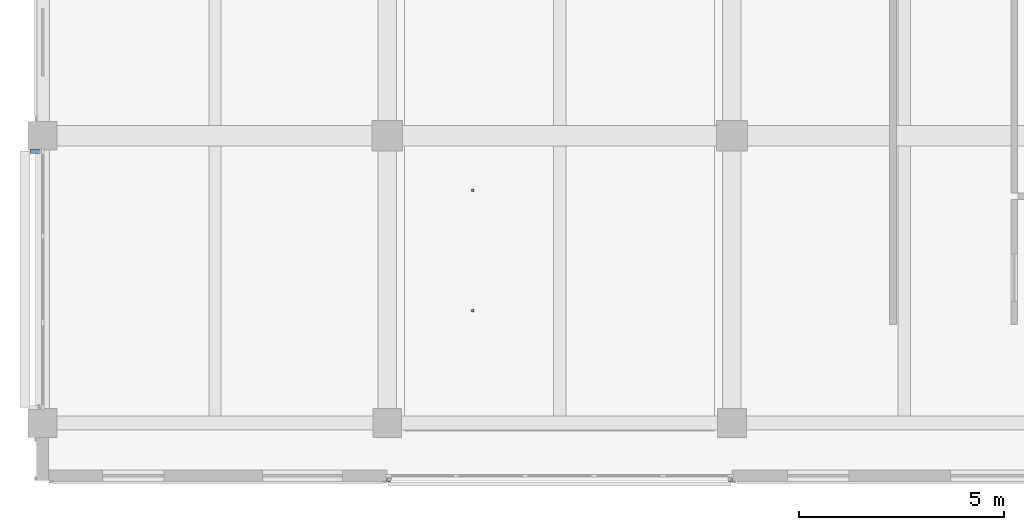
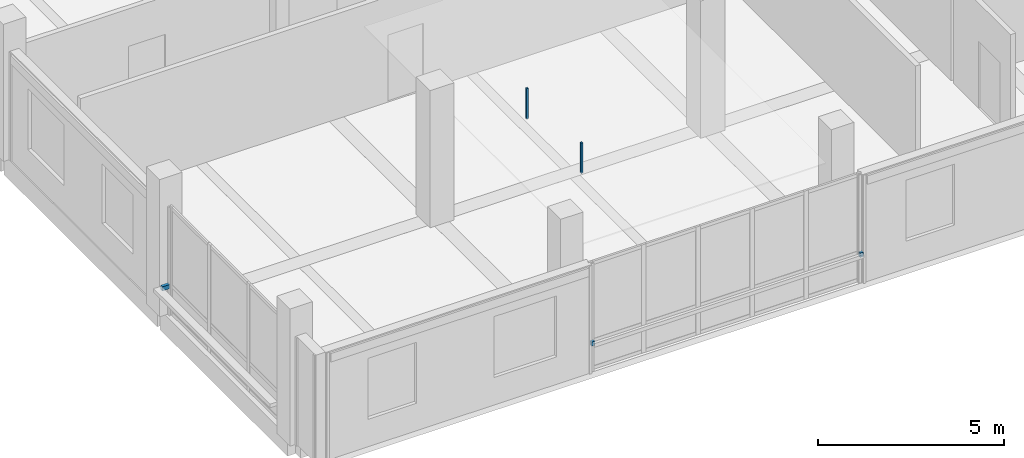
# One storey, part 15 of 35: 5 discrete accessories.
"""IFC4 building model written with IfcOpenShell, lengths in metres."""

from ifc_helpers import new_model, si_unit, direction, frame, origin, origin_2d, place, context, subcontext, project, spatial, rectangle, extrude, material, type_object, element, save


model = new_model("IFC4")

# Units and contexts
model_context = context("Model", 3, precision=1e-05, world=origin(), true_north=direction((0.0, 1.0)))
body_context = subcontext(model_context, "Body", "Model", "MODEL_VIEW")
ifc_project = project(units=[si_unit("LENGTHUNIT", "METRE"), si_unit("AREAUNIT", "SQUARE_METRE"), si_unit("VOLUMEUNIT", "CUBIC_METRE"), si_unit("PLANEANGLEUNIT", "RADIAN"), si_unit("MASSUNIT", "GRAM", prefix="KILO")], contexts=[model_context])

# Site, building, storey
site_placement = place(None, origin())
site = spatial("IfcSite", under=ifc_project, at=site_placement, CompositionType="ELEMENT")
building_placement = place(site_placement, origin())
building = spatial("IfcBuilding", under=site, at=building_placement, Name="Telukmera Botanical Conservatory", CompositionType="ELEMENT")
storey_placement = place(building_placement, frame((0.0, 0.0, 46.5)))
storey = spatial("IfcBuildingStorey", under=building, at=storey_placement, Name="L10", CompositionType="ELEMENT", Elevation=46.5)

# Discrete accessories
ifc_material = material(Name="Steel S355", Category="steel")
discrete_accessory_type_1 = type_object("IfcDiscreteAccessoryType", Name="ACC-CEIL-HGR", PredefinedType="BRACKET", material=ifc_material)
for number, where, z_axis, x_axis, name in (
    (1, (60.88330078125, 13.33740234375, 3.31005859375), (0.0, 0.0, 1.0), (1.0, 0.0, 0.0), "L10 Suspended Ceiling Hanger Rod 024-1"),
    (2, (60.88330078125, 16.27490234375, 3.31005859375), (0.0, 0.0, 1.0), (1.0, 0.0, 0.0), "L10 Suspended Ceiling Hanger Rod 024-2"),
):
    element("IfcDiscreteAccessory", number, at=place(storey_placement, frame(where, z_axis=z_axis, x_axis=x_axis)), inside=storey, type_object=discrete_accessory_type_1, Name=name, PredefinedType="BRACKET", context=body_context, shape_type="SweptSolid", body=[
        extrude(rectangle(XDim=0.06005859375, YDim=0.06005859375, at=origin_2d()), origin(), (0.0, 0.0, 1.0), 0.9951171875),
    ])
discrete_accessory_type_2 = type_object("IfcDiscreteAccessoryType", Name="Structural Steel Facade Outrigger Fin Bracket", PredefinedType="BRACKET", material=ifc_material)
for number, where, z_axis, x_axis, name in (
    (3, (58.83203125, 9.205078125, 0.8798828125), (0.0, 0.0, 1.0), (1.0, 0.0, 0.0), "Facade Outrigger Bracket V4:L10:S2 A"),
    (4, (67.16796875, 9.205078125, 0.8798828125), (0.0, 0.0, 1.0), (1.0, 0.0, 0.0), "Facade Outrigger Bracket V4:L10:S2 B"),
):
    element("IfcDiscreteAccessory", number, at=place(storey_placement, frame(where, z_axis=z_axis, x_axis=x_axis)), inside=storey, type_object=discrete_accessory_type_2, Name=name, PredefinedType="BRACKET", context=body_context, shape_type="SweptSolid", body=[
        extrude(rectangle(XDim=0.10009765625, YDim=0.090087890625, at=origin_2d()), origin(), (0.0, 0.0, 1.0), 0.139892578125),
    ])
discrete_accessory_placement = place(storey_placement, frame((50.2099609375, 17.218017578125, 0.8798828125), z_axis=(0.0, 0.0, 1.0), x_axis=(0.0, 1.0, 0.0)))
element("IfcDiscreteAccessory", 5, at=discrete_accessory_placement, inside=storey, type_object=discrete_accessory_type_2, Name="Facade Outrigger Bracket V4:L10:W1 B", PredefinedType="BRACKET", context=body_context, shape_type="SweptSolid", body=[
    extrude(rectangle(XDim=0.10009765625, YDim=0.239990234375, at=origin_2d()), origin(), (0.0, 0.0, 1.0), 0.139892578125),
])

save(model, "model.ifc")
